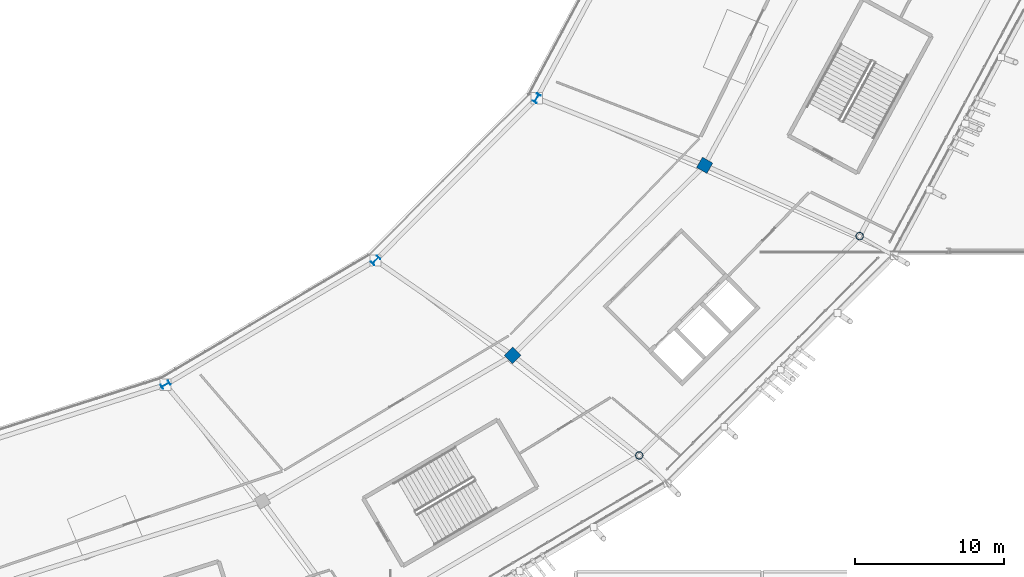
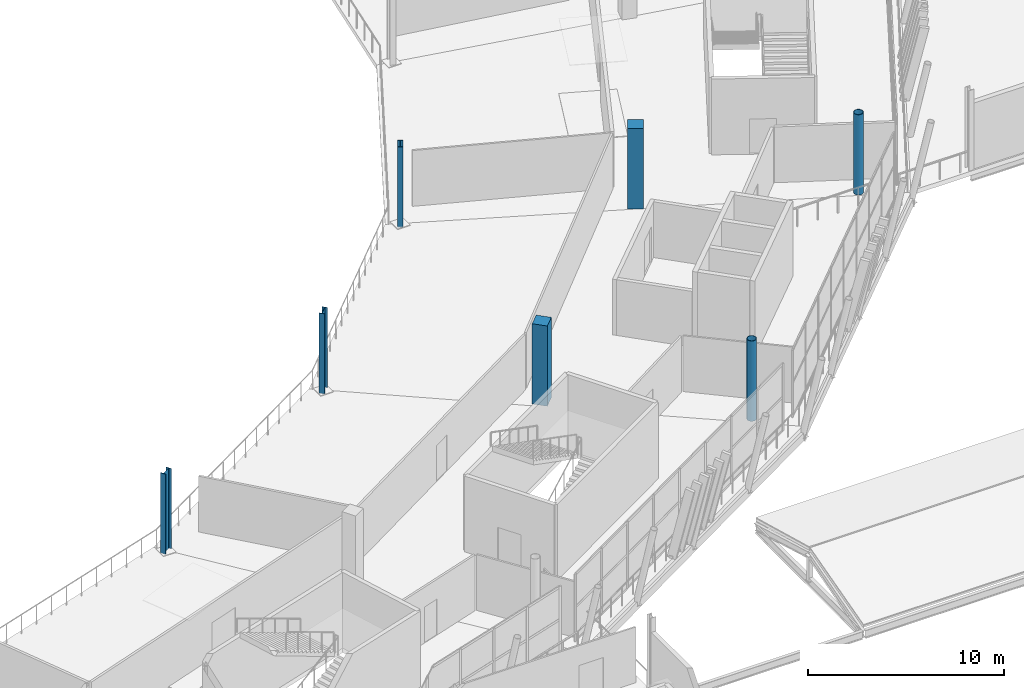
# One storey, part 12 of 179: 7 columns.
"""IFC4 building model written with IfcOpenShell, lengths in metres."""

from ifc_helpers import new_model, si_unit, direction, frame, origin, origin_2d, place, context, subcontext, project, spatial, rectangle, hollow_circle, i_section, extrude, material, material_profile, profile_set, type_object, element, save


model = new_model("IFC4")

# Units and contexts
model_context = context("Model", 3, precision=1e-05, world=origin(), true_north=direction((0.0, 1.0)))
body_context = subcontext(model_context, "Body", "Model", "MODEL_VIEW")
ifc_project = project(units=[si_unit("LENGTHUNIT", "METRE"), si_unit("AREAUNIT", "SQUARE_METRE"), si_unit("VOLUMEUNIT", "CUBIC_METRE"), si_unit("PLANEANGLEUNIT", "RADIAN"), si_unit("MASSUNIT", "GRAM", prefix="KILO")], contexts=[model_context])

# Site, building, storey
site_placement = place(None, origin())
site = spatial("IfcSite", under=ifc_project, at=site_placement, CompositionType="ELEMENT")
building_placement = place(site_placement, origin())
building = spatial("IfcBuilding", under=site, at=building_placement, Name="Zlatoyarsky Gate Stadium", CompositionType="ELEMENT")
storey_placement = place(building_placement, frame((0.0, 0.0, 10.60009765625)))
storey = spatial("IfcBuildingStorey", under=building, at=storey_placement, Name="L02", CompositionType="ELEMENT", Elevation=10.60009765625)

# Columns
ifc_material_1 = material(Name="Concrete C40/50", Category="concrete")
ifc_material_profile_1 = material_profile(ifc_material_1, rectangle(XDim=0.800048828125, YDim=0.800048828125, at=origin_2d()), Name="RC COL 800X800")
ifc_profile_set_1 = profile_set([ifc_material_profile_1], Name="Concrete C40/50")
column_type_1 = type_object("IfcColumnType", Name="CONCRETE COLUMN 800X800", PredefinedType="COLUMN", material=ifc_profile_set_1)
for number, where, z_axis, x_axis, name in (
    (1, (168.275634765625, 36.512939453125, 0.0), (0.0, 0.0, 1.0), (0.707106781187, -0.707106781187, 0.0), "Column RC-C80 RB-21 on L02"),
    (2, (181.148193359375, 49.25, 0.0), (0.0, 0.0, 1.0), (0.866025403784, -0.5, 0.0), "Column RC-C80 RB-22 on L02"),
):
    element("IfcColumn", number, at=place(storey_placement, frame(where, z_axis=z_axis, x_axis=x_axis)), inside=storey, type_object=column_type_1, Name=name, PredefinedType="COLUMN", context=body_context, shape_type="SweptSolid", body=[
        extrude(rectangle(XDim=0.800048828125, YDim=0.800048828125, at=origin_2d()), origin(), (0.0, 0.0, 1.0), 5.0),
    ])
ifc_material_2 = material(Name="Steel S355", Category="steel")
ifc_material_profile_2 = material_profile(ifc_material_2, i_section(OverallWidth=0.300048828125, OverallDepth=0.60009765625, WebThickness=0.015380859375, FlangeThickness=0.030029296875, FilletRadius=0.027099609375, at=origin_2d()), Name="HEB 600")
ifc_profile_set_2 = profile_set([ifc_material_profile_2], Name="Steel S355")
column_type_2 = type_object("IfcColumnType", Name="STEEL COLUMN HEB 600", PredefinedType="COLUMN", material=ifc_profile_set_2)
for number, where, z_axis, x_axis, name in (
    (3, (145.0, 34.53369140625, 0.0), (0.0, 0.0, 1.0), (0.5, -0.866025403784, 0.0), "Column ST-C600 RA-20 on L02"),
    (4, (159.083251953125, 42.876953125, 0.0), (0.0, 0.0, 1.0), (0.707106781187, -0.707106781187, 0.0), "Column ST-C600 RA-21 on L02"),
    (5, (169.8896484375, 53.75, 0.0), (0.0, 0.0, 1.0), (0.866025403784, -0.5, 0.0), "Column ST-C600 RA-22 on L02"),
):
    element("IfcColumn", number, at=place(storey_placement, frame(where, z_axis=z_axis, x_axis=x_axis)), inside=storey, type_object=column_type_2, Name=name, PredefinedType="COLUMN", context=body_context, shape_type="SweptSolid", body=[
        extrude(i_section(OverallWidth=0.300048828125, OverallDepth=0.60009765625, WebThickness=0.015380859375, FlangeThickness=0.030029296875, FilletRadius=0.027099609375, at=origin_2d()), origin(), (0.0, 0.0, 1.0), 5.0),
    ])
ifc_material_profile_3 = material_profile(ifc_material_2, hollow_circle(Radius=0.25390625, WallThickness=0.02490234375, at=origin_2d()), Name="CHS 508X25")
ifc_profile_set_3 = profile_set([ifc_material_profile_3], Name="Steel S355")
column_type_3 = type_object("IfcColumnType", Name="STEEL TUBULAR COLUMN CHS 508X25", PredefinedType="COLUMN", material=ifc_profile_set_3)
for number, where, z_axis, x_axis, name in (
    (6, (176.760986328125, 29.79541015625, 0.0), (0.0, 0.0, 1.0), (0.707106781187, -0.707106781187, 0.0), "Column ST-C508 RC-21 on L02"),
    (7, (191.540283203125, 44.5, 0.0), (0.0, 0.0, 1.0), (0.866025403784, -0.5, 0.0), "Column ST-C508 RC-22 on L02"),
):
    element("IfcColumn", number, at=place(storey_placement, frame(where, z_axis=z_axis, x_axis=x_axis)), inside=storey, type_object=column_type_3, Name=name, PredefinedType="COLUMN", context=body_context, shape_type="SweptSolid", body=[
        extrude(hollow_circle(Radius=0.25390625, WallThickness=0.02490234375, at=origin_2d()), origin(), (0.0, 0.0, 1.0), 5.0),
    ])

save(model, "model.ifc")
